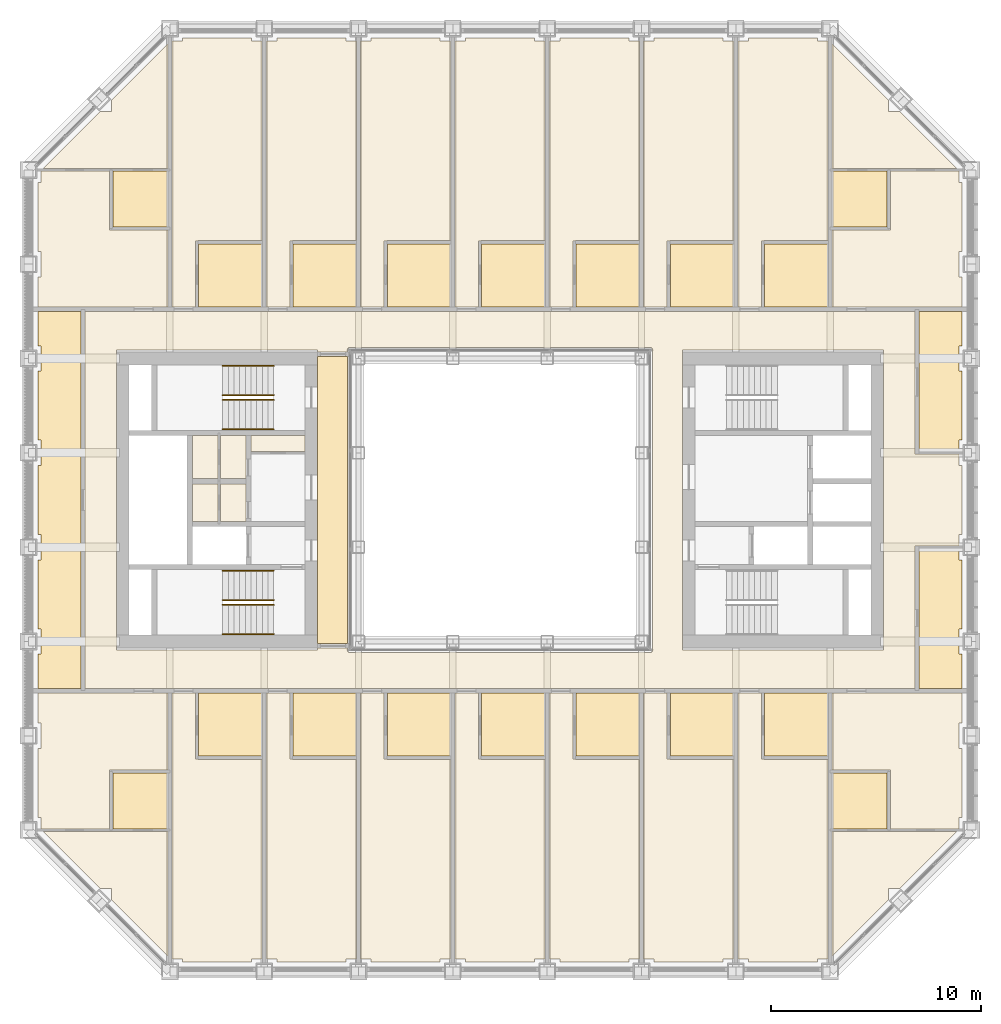
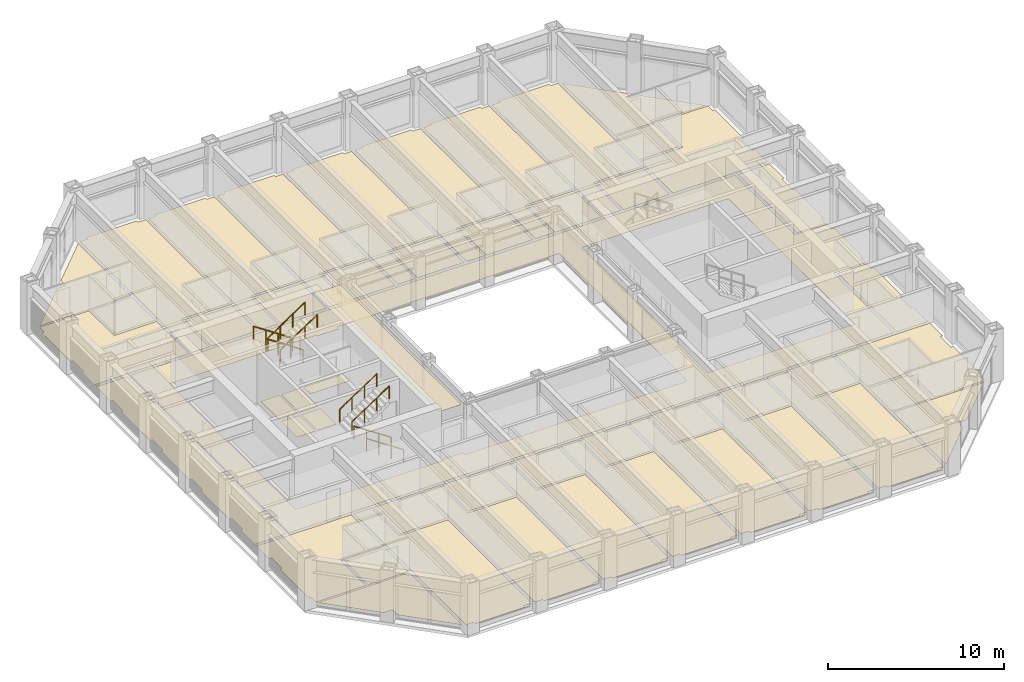
# One storey, part 16 of 18: 8 railings, 4 coverings.
"""IFC4 building model written with IfcOpenShell, lengths in metres."""

from ifc_helpers import new_model, si_unit, direction, frame, origin, origin_2d, place, context, subcontext, project, spatial, line, indexed_curve, circle, outline, extrude, material, layer, layer_set, type_object, element, save


model = new_model("IFC4")

# Units and contexts
model_context = context("Model", 3, precision=1e-05, world=origin(), true_north=direction((0.0, 1.0)))
body_context = subcontext(model_context, "Body", "Model", "MODEL_VIEW")
ifc_project = project(units=[si_unit("LENGTHUNIT", "METRE"), si_unit("AREAUNIT", "SQUARE_METRE"), si_unit("VOLUMEUNIT", "CUBIC_METRE"), si_unit("PLANEANGLEUNIT", "RADIAN"), si_unit("MASSUNIT", "GRAM", prefix="KILO")], contexts=[model_context])

# Site, building, storey
site_placement = place(None, origin())
site = spatial("IfcSite", under=ifc_project, at=site_placement, CompositionType="ELEMENT")
building_placement = place(site_placement, origin())
building = spatial("IfcBuilding", under=site, at=building_placement, Name="Msasa Ring Tower", CompositionType="ELEMENT")
storey_placement = place(building_placement, frame((0.0, 0.0, 118.39990234375)))
storey = spatial("IfcBuildingStorey", under=building, at=storey_placement, Name="L30", CompositionType="ELEMENT", Elevation=118.39990234375)

# Coverings
ifc_material_1 = material(Name="Gypsum plasterboard on a steel suspension grid", Category="steel")
ifc_layer_1 = layer(ifc_material_1, 0.014892578125)
ifc_layer_set_1 = layer_set([ifc_layer_1], Name="C1 SUSPENDED PLASTERBOARD CEILING 15")
covering_type_1 = type_object("IfcCoveringType", Name="C1 SUSPENDED PLASTERBOARD CEILING 15", PredefinedType="CEILING", material=ifc_layer_set_1)
covering_1_placement = place(storey_placement, frame((0.0, 0.0, 3.2001953125)))
element("IfcCovering", 1, at=covering_1_placement, inside=storey, type_object=covering_type_1, Name="Suspended Plasterboard Ceiling 15 public rooms L30", PredefinedType="CEILING", context=body_context, shape_type="SweptSolid", body=[
    extrude(outline(indexed_curve([(-8.699462890625, 6.849609375), (-7.280029296875, 6.849609375), (-7.280029296875, -6.849609375), (-8.699462890625, -6.849609375)], segments=[line(1, 2, 3, 4, 1)], self_intersect=False)), origin(), (0.0, 0.0, 1.0), 0.014892578125),
])
ifc_material_2 = material(Name="Wool-blend carpet on felt underlay", Category="textile")
ifc_layer_2 = layer(ifc_material_2, 0.011962890625)
ifc_layer_set_2 = layer_set([ifc_layer_2], Name="F2 CARPET ON UNDERLAY 12")
covering_type_2 = type_object("IfcCoveringType", Name="F2 CARPET ON UNDERLAY 12", PredefinedType="FLOORING", material=ifc_layer_set_2)
covering_2_placement = place(storey_placement, origin())
element("IfcCovering", 2, at=covering_2_placement, inside=storey, type_object=covering_type_2, Name="Carpet On Underlay 12 L30", PredefinedType="FLOORING", context=body_context, shape_type="SweptSolid", body=[
    extrude(outline(indexed_curve([(-15.8505859375, -9.200439453125), (-15.8505859375, -12.869384765625), (-18.630615234375, -12.869384765625), (-18.630615234375, -15.694580078125), (-21.8994140625, -15.694580078125), (-21.8994140625, -15.1494140625), (-22.049560546875, -15.1494140625), (-22.049560546875, -11.8505859375), (-21.8994140625, -11.8505859375), (-21.8994140625, -10.6494140625), (-22.049560546875, -10.6494140625), (-22.049560546875, -9.200439453125)], segments=[line(1, 2, 3, 4, 5, 6, 7, 8, 9, 10, 11, 12, 1)], self_intersect=False)), origin(), (0.0, 0.0, 1.0), 0.01220703125),
    extrude(outline(indexed_curve([(-22.049560546875, 9.200439453125), (-22.049560546875, 10.6494140625), (-21.8994140625, 10.6494140625), (-21.8994140625, 11.8505859375), (-22.049560546875, 11.8505859375), (-22.049560546875, 15.1494140625), (-21.8994140625, 15.1494140625), (-21.8994140625, 15.694580078125), (-18.630615234375, 15.694580078125), (-18.630615234375, 12.869384765625), (-15.8505859375, 12.869384765625), (-15.8505859375, 9.200439453125)], segments=[line(1, 2, 3, 4, 5, 6, 7, 8, 9, 10, 11, 12, 1)], self_intersect=False)), origin(), (0.0, 0.0, 1.0), 0.01220703125),
    extrude(outline(indexed_curve([(-15.8505859375, -15.805419921875), (-15.8505859375, -21.762451171875), (-18.5244140625, -19.08837890625), (-18.5244140625, -18.5244140625), (-19.08837890625, -18.5244140625), (-21.807373046875, -15.805419921875)], segments=[line(1, 2, 3, 4, 5, 6, 1)], self_intersect=False)), origin(), (0.0, 0.0, 1.0), 0.01220703125),
    extrude(outline(indexed_curve([(-21.807373046875, 15.805419921875), (-19.08837890625, 18.5244140625), (-18.5244140625, 18.5244140625), (-18.5244140625, 19.08837890625), (-15.8505859375, 21.762451171875), (-15.8505859375, 15.805419921875)], segments=[line(1, 2, 3, 4, 5, 6, 1)], self_intersect=False)), origin(), (0.0, 0.0, 1.0), 0.01220703125),
    extrude(outline(indexed_curve([(22.049560546875, -1.6494140625), (21.8994140625, -1.6494140625), (21.8994140625, -2.199462890625), (19.799560546875, -2.199462890625), (19.799560546875, -8.99951171875), (-19.799560546875, -8.99951171875), (-19.799560546875, 8.99951171875), (19.799560546875, 8.99951171875), (19.799560546875, 2.199462890625), (21.8994140625, 2.199462890625), (21.8994140625, 1.6494140625), (22.049560546875, 1.6494140625)], segments=[line(1, 2, 3, 4, 5, 6, 7, 8, 9, 10, 11, 12, 1)], self_intersect=False), holes=[indexed_curve([(18.300537109375, -7.150390625), (18.300537109375, 7.150390625), (8.699462890625, 7.150390625), (8.699462890625, -7.150390625)], segments=[line(1, 2, 3, 4, 1)], self_intersect=False), indexed_curve([(-18.300537109375, 7.150390625), (-18.300537109375, -7.150390625), (-8.699462890625, -7.150390625), (-8.699462890625, -7.050537109375), (-7.280029296875, -7.050537109375), (-7.280517578125, -7.23046875), (-7.22998046875, -7.23046875), (-7.22998046875, -7.280029296875), (7.22998046875, -7.280029296875), (7.22998046875, -7.23046875), (7.280517578125, -7.23046875), (7.280517578125, 7.23046875), (7.22998046875, 7.23046875), (7.22998046875, 7.280029296875), (-7.22998046875, 7.280029296875), (-7.22998046875, 7.23046875), (-7.280517578125, 7.23046875), (-7.280029296875, 7.050537109375), (-8.699462890625, 7.050537109375), (-8.699462890625, 7.150390625)], segments=[line(1, 2, 3, 4, 5, 6, 7, 8, 9, 10, 11, 12, 13, 14, 15, 16, 17, 18, 19, 20, 1)], self_intersect=False)]), origin(), (0.0, 0.0, 1.0), 0.01220703125),
    extrude(outline(indexed_curve([(-15.6494140625, -9.200439453125), (-14.525390625, -9.200439453125), (-14.525390625, -12.35009765625), (-14.39990234375, -12.3505859375), (-14.39990234375, -12.37548828125), (-11.3505859375, -12.37548828125), (-11.3505859375, -21.8994140625), (-11.8505859375, -21.8994140625), (-11.8505859375, -22.049560546875), (-15.1494140625, -22.049560546875), (-15.1494140625, -21.8994140625), (-15.6494140625, -21.8994140625)], segments=[line(1, 2, 3, 4, 5, 6, 7, 8, 9, 10, 11, 12, 1)], self_intersect=False)), origin(), (0.0, 0.0, 1.0), 0.01220703125),
    extrude(outline(indexed_curve([(-15.6494140625, 21.8994140625), (-15.1494140625, 21.8994140625), (-15.1494140625, 22.049560546875), (-11.8505859375, 22.049560546875), (-11.8505859375, 21.8994140625), (-11.3505859375, 21.8994140625), (-11.3505859375, 12.37548828125), (-14.39990234375, 12.37548828125), (-14.39990234375, 12.3505859375), (-14.525390625, 12.35009765625), (-14.525390625, 9.200439453125), (-15.6494140625, 9.200439453125)], segments=[line(1, 2, 3, 4, 5, 6, 7, 8, 9, 10, 11, 12, 1)], self_intersect=False)), origin(), (0.0, 0.0, 1.0), 0.01220703125),
    extrude(outline(indexed_curve([(-13.45556640625, -1.0244140625), (-14.674560546875, -1.0244140625), (-14.674560546875, 0.7744140625), (-13.45556640625, 0.7744140625)], segments=[line(1, 2, 3, 4, 1)], self_intersect=False)), origin(), (0.0, 0.0, 1.0), 0.01220703125),
    extrude(outline(indexed_curve([(-13.45556640625, 3.074462890625), (-13.45556640625, 1.025390625), (-14.674560546875, 1.025390625), (-14.674560546875, 3.074462890625)], segments=[line(1, 2, 3, 4, 1)], self_intersect=False)), origin(), (0.0, 0.0, 1.0), 0.01220703125),
    extrude(outline(indexed_curve([(-12.12548828125, -1.0244140625), (-13.344482421875, -1.0244140625), (-13.344482421875, 0.7744140625), (-12.12548828125, 0.7744140625)], segments=[line(1, 2, 3, 4, 1)], self_intersect=False)), origin(), (0.0, 0.0, 1.0), 0.01220703125),
    extrude(outline(indexed_curve([(-12.12548828125, 1.025390625), (-13.344482421875, 1.025390625), (-13.344482421875, 3.074462890625), (-12.12548828125, 3.074462890625)], segments=[line(1, 2, 3, 4, 1)], self_intersect=False)), origin(), (0.0, 0.0, 1.0), 0.01220703125),
    extrude(outline(indexed_curve([(-9.300537109375, 2.305419921875), (-11.87451171875, 2.305419921875), (-11.87451171875, 3.074462890625), (-9.300537109375, 3.074462890625)], segments=[line(1, 2, 3, 4, 1)], self_intersect=False)), origin(), (0.0, 0.0, 1.0), 0.01220703125),
    extrude(outline(indexed_curve([(-10.025390625, -9.200439453125), (-10.025390625, -12.35009765625), (-9.89990234375, -12.3505859375), (-9.89990234375, -12.37548828125), (-6.8505859375, -12.37548828125), (-6.8505859375, -21.8994140625), (-7.3505859375, -21.8994140625), (-7.3505859375, -22.049560546875), (-10.6494140625, -22.049560546875), (-10.6494140625, -21.8994140625), (-11.1494140625, -21.8994140625), (-11.1494140625, -9.200439453125)], segments=[line(1, 2, 3, 4, 5, 6, 7, 8, 9, 10, 11, 12, 1)], self_intersect=False)), origin(), (0.0, 0.0, 1.0), 0.01220703125),
    extrude(outline(indexed_curve([(-7.3505859375, 22.049560546875), (-7.3505859375, 21.8994140625), (-6.8505859375, 21.8994140625), (-6.8505859375, 12.37548828125), (-9.89990234375, 12.37548828125), (-9.89990234375, 12.3505859375), (-10.025390625, 12.35009765625), (-10.025390625, 9.200439453125), (-11.1494140625, 9.200439453125), (-11.1494140625, 21.8994140625), (-10.6494140625, 21.8994140625), (-10.6494140625, 22.049560546875)], segments=[line(1, 2, 3, 4, 5, 6, 7, 8, 9, 10, 11, 12, 1)], self_intersect=False)), origin(), (0.0, 0.0, 1.0), 0.01220703125),
    extrude(outline(indexed_curve([(-5.525390625, -9.200439453125), (-5.525390625, -12.35009765625), (-5.39990234375, -12.3505859375), (-5.39990234375, -12.37548828125), (-2.3505859375, -12.37548828125), (-2.3505859375, -21.8994140625), (-2.8505859375, -21.8994140625), (-2.8505859375, -22.049560546875), (-6.1494140625, -22.049560546875), (-6.1494140625, -21.8994140625), (-6.6494140625, -21.8994140625), (-6.6494140625, -9.200439453125)], segments=[line(1, 2, 3, 4, 5, 6, 7, 8, 9, 10, 11, 12, 1)], self_intersect=False)), origin(), (0.0, 0.0, 1.0), 0.01220703125),
    extrude(outline(indexed_curve([(-2.8505859375, 22.049560546875), (-2.8505859375, 21.8994140625), (-2.3505859375, 21.8994140625), (-2.3505859375, 12.37548828125), (-5.39990234375, 12.37548828125), (-5.39990234375, 12.3505859375), (-5.525390625, 12.35009765625), (-5.525390625, 9.200439453125), (-6.6494140625, 9.200439453125), (-6.6494140625, 21.8994140625), (-6.1494140625, 21.8994140625), (-6.1494140625, 22.049560546875)], segments=[line(1, 2, 3, 4, 5, 6, 7, 8, 9, 10, 11, 12, 1)], self_intersect=False)), origin(), (0.0, 0.0, 1.0), 0.01220703125),
    extrude(outline(indexed_curve([(-1.025390625, -9.200439453125), (-1.025390625, -12.35009765625), (-0.89990234375, -12.3505859375), (-0.89990234375, -12.37548828125), (2.1494140625, -12.37548828125), (2.1494140625, -21.8994140625), (1.6494140625, -21.8994140625), (1.6494140625, -22.049560546875), (-1.6494140625, -22.049560546875), (-1.6494140625, -21.8994140625), (-2.1494140625, -21.8994140625), (-2.1494140625, -9.200439453125)], segments=[line(1, 2, 3, 4, 5, 6, 7, 8, 9, 10, 11, 12, 1)], self_intersect=False)), origin(), (0.0, 0.0, 1.0), 0.01220703125),
    extrude(outline(indexed_curve([(1.6494140625, 22.049560546875), (1.6494140625, 21.8994140625), (2.1494140625, 21.8994140625), (2.1494140625, 12.37548828125), (-0.89990234375, 12.37548828125), (-0.89990234375, 12.3505859375), (-1.025390625, 12.35009765625), (-1.025390625, 9.200439453125), (-2.1494140625, 9.200439453125), (-2.1494140625, 21.8994140625), (-1.6494140625, 21.8994140625), (-1.6494140625, 22.049560546875)], segments=[line(1, 2, 3, 4, 5, 6, 7, 8, 9, 10, 11, 12, 1)], self_intersect=False)), origin(), (0.0, 0.0, 1.0), 0.01220703125),
    extrude(outline(indexed_curve([(3.474609375, -9.200439453125), (3.474609375, -12.35009765625), (3.60009765625, -12.3505859375), (3.60009765625, -12.37548828125), (6.6494140625, -12.37548828125), (6.6494140625, -21.8994140625), (6.1494140625, -21.8994140625), (6.1494140625, -22.049560546875), (2.8505859375, -22.049560546875), (2.8505859375, -21.8994140625), (2.3505859375, -21.8994140625), (2.3505859375, -9.200439453125)], segments=[line(1, 2, 3, 4, 5, 6, 7, 8, 9, 10, 11, 12, 1)], self_intersect=False)), origin(), (0.0, 0.0, 1.0), 0.01220703125),
    extrude(outline(indexed_curve([(6.1494140625, 22.049560546875), (6.1494140625, 21.8994140625), (6.6494140625, 21.8994140625), (6.6494140625, 12.37548828125), (3.60009765625, 12.37548828125), (3.60009765625, 12.3505859375), (3.474609375, 12.35009765625), (3.474609375, 9.200439453125), (2.3505859375, 9.200439453125), (2.3505859375, 21.8994140625), (2.8505859375, 21.8994140625), (2.8505859375, 22.049560546875)], segments=[line(1, 2, 3, 4, 5, 6, 7, 8, 9, 10, 11, 12, 1)], self_intersect=False)), origin(), (0.0, 0.0, 1.0), 0.01220703125),
    extrude(outline(indexed_curve([(7.974609375, -9.200439453125), (7.974609375, -12.35009765625), (8.10009765625, -12.3505859375), (8.10009765625, -12.37548828125), (11.1494140625, -12.37548828125), (11.1494140625, -21.8994140625), (10.6494140625, -21.8994140625), (10.6494140625, -22.049560546875), (7.3505859375, -22.049560546875), (7.3505859375, -21.8994140625), (6.8505859375, -21.8994140625), (6.8505859375, -9.200439453125)], segments=[line(1, 2, 3, 4, 5, 6, 7, 8, 9, 10, 11, 12, 1)], self_intersect=False)), origin(), (0.0, 0.0, 1.0), 0.01220703125),
    extrude(outline(indexed_curve([(10.6494140625, 22.049560546875), (10.6494140625, 21.8994140625), (11.1494140625, 21.8994140625), (11.1494140625, 12.37548828125), (8.10009765625, 12.37548828125), (8.10009765625, 12.3505859375), (7.974609375, 12.35009765625), (7.974609375, 9.200439453125), (6.8505859375, 9.200439453125), (6.8505859375, 21.8994140625), (7.3505859375, 21.8994140625), (7.3505859375, 22.049560546875)], segments=[line(1, 2, 3, 4, 5, 6, 7, 8, 9, 10, 11, 12, 1)], self_intersect=False)), origin(), (0.0, 0.0, 1.0), 0.01220703125),
    extrude(outline(indexed_curve([(11.3505859375, -9.200439453125), (12.474609375, -9.200439453125), (12.474609375, -12.35009765625), (12.60009765625, -12.3505859375), (12.60009765625, -12.37548828125), (15.6494140625, -12.37548828125), (15.6494140625, -21.8994140625), (15.1494140625, -21.8994140625), (15.1494140625, -22.049560546875), (11.8505859375, -22.049560546875), (11.8505859375, -21.8994140625), (11.3505859375, -21.8994140625)], segments=[line(1, 2, 3, 4, 5, 6, 7, 8, 9, 10, 11, 12, 1)], self_intersect=False)), origin(), (0.0, 0.0, 1.0), 0.01220703125),
    extrude(outline(indexed_curve([(11.3505859375, 21.8994140625), (11.8505859375, 21.8994140625), (11.8505859375, 22.049560546875), (15.1494140625, 22.049560546875), (15.1494140625, 21.8994140625), (15.6494140625, 21.8994140625), (15.6494140625, 12.37548828125), (12.60009765625, 12.37548828125), (12.60009765625, 12.3505859375), (12.474609375, 12.35009765625), (12.474609375, 9.200439453125), (11.3505859375, 9.200439453125)], segments=[line(1, 2, 3, 4, 5, 6, 7, 8, 9, 10, 11, 12, 1)], self_intersect=False)), origin(), (0.0, 0.0, 1.0), 0.01220703125),
    extrude(outline(indexed_curve([(15.8505859375, -15.805419921875), (21.807373046875, -15.805419921875), (19.08837890625, -18.5244140625), (18.5244140625, -18.5244140625), (18.5244140625, -19.08837890625), (15.8505859375, -21.762451171875)], segments=[line(1, 2, 3, 4, 5, 6, 1)], self_intersect=False)), origin(), (0.0, 0.0, 1.0), 0.01220703125),
    extrude(outline(indexed_curve([(22.049560546875, -9.200439453125), (22.049560546875, -10.6494140625), (21.8994140625, -10.6494140625), (21.8994140625, -11.8505859375), (22.049560546875, -11.8505859375), (22.049560546875, -15.1494140625), (21.8994140625, -15.1494140625), (21.8994140625, -15.694580078125), (18.630615234375, -15.694580078125), (18.630615234375, -12.869384765625), (15.8505859375, -12.869384765625), (15.8505859375, -9.200439453125)], segments=[line(1, 2, 3, 4, 5, 6, 7, 8, 9, 10, 11, 12, 1)], self_intersect=False)), origin(), (0.0, 0.0, 1.0), 0.01220703125),
    extrude(outline(indexed_curve([(22.049560546875, 11.8505859375), (21.8994140625, 11.8505859375), (21.8994140625, 10.6494140625), (22.049560546875, 10.6494140625), (22.049560546875, 9.200439453125), (15.8505859375, 9.200439453125), (15.8505859375, 12.869384765625), (18.630615234375, 12.869384765625), (18.630615234375, 15.694580078125), (21.8994140625, 15.694580078125), (21.8994140625, 15.1494140625), (22.049560546875, 15.1494140625)], segments=[line(1, 2, 3, 4, 5, 6, 7, 8, 9, 10, 11, 12, 1)], self_intersect=False)), origin(), (0.0, 0.0, 1.0), 0.01220703125),
    extrude(outline(indexed_curve([(15.8505859375, 21.762451171875), (18.5244140625, 19.08837890625), (18.5244140625, 18.5244140625), (19.08837890625, 18.5244140625), (21.807373046875, 15.805419921875), (15.8505859375, 15.805419921875)], segments=[line(1, 2, 3, 4, 5, 6, 1)], self_intersect=False)), origin(), (0.0, 0.0, 1.0), 0.01220703125),
])
ifc_material_3 = material(Name="Porcelain floor tiles in adhesive", Category="ceramic")
ifc_layer_3 = layer(ifc_material_3, 0.010009765625)
ifc_layer_set_3 = layer_set([ifc_layer_3], Name="F4 PORCELAIN TILE ON ADHESIVE 10")
covering_type_3 = type_object("IfcCoveringType", Name="F4 PORCELAIN TILE ON ADHESIVE 10", PredefinedType="FLOORING", material=ifc_layer_set_3)
covering_3_placement = place(storey_placement, origin())
element("IfcCovering", 3, at=covering_3_placement, inside=storey, type_object=covering_type_3, Name="Porcelain Tile On Adhesive 10 L30", PredefinedType="FLOORING", context=body_context, shape_type="SweptSolid", body=[
    extrude(outline(indexed_curve([(-15.8505859375, -13.030517578125), (-15.8505859375, -15.694580078125), (-18.469482421875, -15.694580078125), (-18.469482421875, -13.030517578125)], segments=[line(1, 2, 3, 4, 1)], self_intersect=False)), origin(), (0.0, 0.0, 1.0), 0.010009765625),
    extrude(outline(indexed_curve([(-15.8505859375, 13.030517578125), (-18.469482421875, 13.030517578125), (-18.469482421875, 15.694580078125), (-15.8505859375, 15.694580078125)], segments=[line(1, 2, 3, 4, 1)], self_intersect=False)), origin(), (0.0, 0.0, 1.0), 0.010009765625),
    extrude(outline(indexed_curve([(-11.3505859375, -9.200439453125), (-11.3505859375, -12.224609375), (-14.37451171875, -12.224609375), (-14.37451171875, -9.200439453125)], segments=[line(1, 2, 3, 4, 1)], self_intersect=False)), origin(), (0.0, 0.0, 1.0), 0.010009765625),
    extrude(outline(indexed_curve([(-11.3505859375, 9.200439453125), (-14.37451171875, 9.200439453125), (-14.37451171875, 12.224609375), (-11.3505859375, 12.224609375)], segments=[line(1, 2, 3, 4, 1)], self_intersect=False)), origin(), (0.0, 0.0, 1.0), 0.010009765625),
    extrude(outline(indexed_curve([(-6.8505859375, -9.200439453125), (-6.8505859375, -12.224609375), (-9.87451171875, -12.224609375), (-9.87451171875, -9.200439453125)], segments=[line(1, 2, 3, 4, 1)], self_intersect=False)), origin(), (0.0, 0.0, 1.0), 0.010009765625),
    extrude(outline(indexed_curve([(-6.8505859375, 9.200439453125), (-9.87451171875, 9.200439453125), (-9.87451171875, 12.224609375), (-6.8505859375, 12.224609375)], segments=[line(1, 2, 3, 4, 1)], self_intersect=False)), origin(), (0.0, 0.0, 1.0), 0.010009765625),
    extrude(outline(indexed_curve([(-2.3505859375, -9.200439453125), (-2.3505859375, -12.224609375), (-5.37451171875, -12.224609375), (-5.37451171875, -9.200439453125)], segments=[line(1, 2, 3, 4, 1)], self_intersect=False)), origin(), (0.0, 0.0, 1.0), 0.010009765625),
    extrude(outline(indexed_curve([(-2.3505859375, 9.200439453125), (-5.37451171875, 9.200439453125), (-5.37451171875, 12.224609375), (-2.3505859375, 12.224609375)], segments=[line(1, 2, 3, 4, 1)], self_intersect=False)), origin(), (0.0, 0.0, 1.0), 0.010009765625),
    extrude(outline(indexed_curve([(2.1494140625, -9.200439453125), (2.1494140625, -12.224609375), (-0.87451171875, -12.224609375), (-0.87451171875, -9.200439453125)], segments=[line(1, 2, 3, 4, 1)], self_intersect=False)), origin(), (0.0, 0.0, 1.0), 0.010009765625),
    extrude(outline(indexed_curve([(2.1494140625, 9.200439453125), (-0.87451171875, 9.200439453125), (-0.87451171875, 12.224609375), (2.1494140625, 12.224609375)], segments=[line(1, 2, 3, 4, 1)], self_intersect=False)), origin(), (0.0, 0.0, 1.0), 0.010009765625),
    extrude(outline(indexed_curve([(6.6494140625, -9.200439453125), (6.6494140625, -12.224609375), (3.62548828125, -12.224609375), (3.62548828125, -9.200439453125)], segments=[line(1, 2, 3, 4, 1)], self_intersect=False)), origin(), (0.0, 0.0, 1.0), 0.010009765625),
    extrude(outline(indexed_curve([(6.6494140625, 9.200439453125), (3.62548828125, 9.200439453125), (3.62548828125, 12.224609375), (6.6494140625, 12.224609375)], segments=[line(1, 2, 3, 4, 1)], self_intersect=False)), origin(), (0.0, 0.0, 1.0), 0.010009765625),
    extrude(outline(indexed_curve([(11.1494140625, -9.200439453125), (11.1494140625, -12.224609375), (8.12548828125, -12.224609375), (8.12548828125, -9.200439453125)], segments=[line(1, 2, 3, 4, 1)], self_intersect=False)), origin(), (0.0, 0.0, 1.0), 0.010009765625),
    extrude(outline(indexed_curve([(11.1494140625, 9.200439453125), (8.12548828125, 9.200439453125), (8.12548828125, 12.224609375), (11.1494140625, 12.224609375)], segments=[line(1, 2, 3, 4, 1)], self_intersect=False)), origin(), (0.0, 0.0, 1.0), 0.010009765625),
    extrude(outline(indexed_curve([(15.6494140625, -9.200439453125), (15.6494140625, -12.224609375), (12.62548828125, -12.224609375), (12.62548828125, -9.200439453125)], segments=[line(1, 2, 3, 4, 1)], self_intersect=False)), origin(), (0.0, 0.0, 1.0), 0.010009765625),
    extrude(outline(indexed_curve([(15.6494140625, 9.200439453125), (12.62548828125, 9.200439453125), (12.62548828125, 12.224609375), (15.6494140625, 12.224609375)], segments=[line(1, 2, 3, 4, 1)], self_intersect=False)), origin(), (0.0, 0.0, 1.0), 0.010009765625),
    extrude(outline(indexed_curve([(18.469482421875, -13.030517578125), (18.469482421875, -15.694580078125), (15.8505859375, -15.694580078125), (15.8505859375, -13.030517578125)], segments=[line(1, 2, 3, 4, 1)], self_intersect=False)), origin(), (0.0, 0.0, 1.0), 0.010009765625),
    extrude(outline(indexed_curve([(18.469482421875, 13.030517578125), (15.8505859375, 13.030517578125), (15.8505859375, 15.694580078125), (18.469482421875, 15.694580078125)], segments=[line(1, 2, 3, 4, 1)], self_intersect=False)), origin(), (0.0, 0.0, 1.0), 0.010009765625),
])
ifc_material_4 = material(Name="Welded vinyl safety sheet flooring", Category="vinyl")
ifc_layer_4 = layer(ifc_material_4, 0.0029296875)
ifc_layer_set_4 = layer_set([ifc_layer_4], Name="F5 RESILIENT SHEET FLOORING 3")
covering_type_4 = type_object("IfcCoveringType", Name="F5 RESILIENT SHEET FLOORING 3", PredefinedType="FLOORING", material=ifc_layer_set_4)
covering_4_placement = place(storey_placement, origin())
element("IfcCovering", 4, at=covering_4_placement, inside=storey, type_object=covering_type_4, Name="Resilient Sheet Flooring 3 L30", PredefinedType="FLOORING", context=body_context, shape_type="SweptSolid", body=[
    extrude(outline(indexed_curve([(-20.00048828125, 8.99951171875), (-20.00048828125, -8.99951171875), (-22.049560546875, -8.99951171875), (-22.049560546875, -7.3505859375), (-21.8994140625, -7.3505859375), (-21.8994140625, -6.1494140625), (-22.049560546875, -6.1494140625), (-22.049560546875, -2.8505859375), (-21.8994140625, -2.8505859375), (-21.8994140625, -1.6494140625), (-22.049560546875, -1.6494140625), (-22.049560546875, 1.6494140625), (-21.8994140625, 1.6494140625), (-21.8994140625, 2.8505859375), (-22.049560546875, 2.8505859375), (-22.049560546875, 6.1494140625), (-21.8994140625, 6.1494140625), (-21.8994140625, 7.3505859375), (-22.049560546875, 7.3505859375), (-22.049560546875, 8.99951171875)], segments=[line(1, 2, 3, 4, 5, 6, 7, 8, 9, 10, 11, 12, 13, 14, 15, 16, 17, 18, 19, 20, 1)], self_intersect=False)), origin(), (0.0, 0.0, 1.0), 0.003173828125),
    extrude(outline(indexed_curve([(21.8994140625, -2.305419921875), (21.8994140625, -2.8505859375), (22.049560546875, -2.8505859375), (22.049560546875, -6.1494140625), (21.8994140625, -6.1494140625), (21.8994140625, -7.3505859375), (22.049560546875, -7.3505859375), (22.049560546875, -8.99951171875), (20.00048828125, -8.99951171875), (20.00048828125, -2.305419921875)], segments=[line(1, 2, 3, 4, 5, 6, 7, 8, 9, 10, 1)], self_intersect=False)), origin(), (0.0, 0.0, 1.0), 0.003173828125),
    extrude(outline(indexed_curve([(22.049560546875, 7.3505859375), (21.8994140625, 7.3505859375), (21.8994140625, 6.1494140625), (22.049560546875, 6.1494140625), (22.049560546875, 2.8505859375), (21.8994140625, 2.8505859375), (21.8994140625, 2.305419921875), (20.00048828125, 2.305419921875), (20.00048828125, 8.99951171875), (22.049560546875, 8.99951171875)], segments=[line(1, 2, 3, 4, 5, 6, 7, 8, 9, 10, 1)], self_intersect=False)), origin(), (0.0, 0.0, 1.0), 0.003173828125),
])

# Railings
ifc_material_5 = material(Name="Stainless steel", Category="steel")
railing_type = type_object("IfcRailingType", Name="HR1 HANDRAIL 900", PredefinedType="HANDRAIL", material=ifc_material_5)
for number, where, name in (
    (5, (-10.800048828125, -6.39990234375, 0.18017578125), "Handrail stair SWA L30 1"),
    (6, (-10.800048828125, -5.0, 0.18017578125), "Handrail stair SWA L30 2"),
):
    element("IfcRailing", number, at=place(storey_placement, frame(where)), inside=storey, type_object=railing_type, Name=name, PredefinedType="HANDRAIL", context=body_context, shape_type="SweptSolid", body=[
        extrude(circle(Radius=0.02392578125, at=origin_2d()), frame((0.0, 0.0, 0.8759765625), z_axis=(-0.832063155534, 0.0, 0.554680903946), x_axis=(0.0, -1.0, 0.0)), (0.0, 0.0, 1.0), 2.92041015625),
        extrude(circle(Radius=0.02099609375, at=origin_2d()), origin(), (0.0, 0.0, 1.0), 0.851806640625),
        extrude(circle(Radius=0.02099609375, at=origin_2d()), frame((-0.81005859375, 0.0, 0.5400390625)), (0.0, 0.0, 1.0), 0.851806640625),
        extrude(circle(Radius=0.02099609375, at=origin_2d()), frame((-1.619873046875, 0.0, 1.079833984375)), (0.0, 0.0, 1.0), 0.851806640625),
        extrude(circle(Radius=0.02099609375, at=origin_2d()), frame((-2.429931640625, 0.0, 1.619873046875)), (0.0, 0.0, 1.0), 0.851806640625),
    ])
for number, where, name in (
    (7, (-13.22998046875, -4.77490234375, 1.97998046875), "Handrail stair SWA L30 3"),
    (8, (-13.22998046875, -3.375, 1.97998046875), "Handrail stair SWA L30 4"),
):
    element("IfcRailing", number, at=place(storey_placement, frame(where)), inside=storey, type_object=railing_type, Name=name, PredefinedType="HANDRAIL", context=body_context, shape_type="SweptSolid", body=[
        extrude(circle(Radius=0.02392578125, at=origin_2d()), frame((0.0, 0.0, 0.8759765625), z_axis=(0.832024571796, 0.0, 0.554738778101), x_axis=(0.0, 1.0, 0.0)), (0.0, 0.0, 1.0), 2.92041015625),
        extrude(circle(Radius=0.02099609375, at=origin_2d()), origin(), (0.0, 0.0, 1.0), 0.851806640625),
        extrude(circle(Radius=0.02099609375, at=origin_2d()), frame((0.81005859375, 0.0, 0.5400390625)), (0.0, 0.0, 1.0), 0.851806640625),
        extrude(circle(Radius=0.02099609375, at=origin_2d()), frame((1.619873046875, 0.0, 1.080078125)), (0.0, 0.0, 1.0), 0.851806640625),
        extrude(circle(Radius=0.02099609375, at=origin_2d()), frame((2.429931640625, 0.0, 1.6201171875)), (0.0, 0.0, 1.0), 0.851806640625),
    ])
for number, where, name in (
    (9, (-10.800048828125, 5.0, 0.18017578125), "Handrail stair SWB L30 1"),
    (10, (-10.800048828125, 6.39990234375, 0.18017578125), "Handrail stair SWB L30 2"),
):
    element("IfcRailing", number, at=place(storey_placement, frame(where)), inside=storey, type_object=railing_type, Name=name, PredefinedType="HANDRAIL", context=body_context, shape_type="SweptSolid", body=[
        extrude(circle(Radius=0.02392578125, at=origin_2d()), frame((0.0, 0.0, 0.8759765625), z_axis=(-0.832063155534, 0.0, 0.554680903946), x_axis=(0.0, -1.0, 0.0)), (0.0, 0.0, 1.0), 2.92041015625),
        extrude(circle(Radius=0.02099609375, at=origin_2d()), origin(), (0.0, 0.0, 1.0), 0.851806640625),
        extrude(circle(Radius=0.02099609375, at=origin_2d()), frame((-0.81005859375, 0.0, 0.5400390625)), (0.0, 0.0, 1.0), 0.851806640625),
        extrude(circle(Radius=0.02099609375, at=origin_2d()), frame((-1.619873046875, 0.0, 1.079833984375)), (0.0, 0.0, 1.0), 0.851806640625),
        extrude(circle(Radius=0.02099609375, at=origin_2d()), frame((-2.429931640625, 0.0, 1.619873046875)), (0.0, 0.0, 1.0), 0.851806640625),
    ])
for number, where, name in (
    (11, (-13.22998046875, 3.375, 1.97998046875), "Handrail stair SWB L30 3"),
    (12, (-13.22998046875, 4.77490234375, 1.97998046875), "Handrail stair SWB L30 4"),
):
    element("IfcRailing", number, at=place(storey_placement, frame(where)), inside=storey, type_object=railing_type, Name=name, PredefinedType="HANDRAIL", context=body_context, shape_type="SweptSolid", body=[
        extrude(circle(Radius=0.02392578125, at=origin_2d()), frame((0.0, 0.0, 0.8759765625), z_axis=(0.832024571796, 0.0, 0.554738778101), x_axis=(0.0, 1.0, 0.0)), (0.0, 0.0, 1.0), 2.92041015625),
        extrude(circle(Radius=0.02099609375, at=origin_2d()), origin(), (0.0, 0.0, 1.0), 0.851806640625),
        extrude(circle(Radius=0.02099609375, at=origin_2d()), frame((0.81005859375, 0.0, 0.5400390625)), (0.0, 0.0, 1.0), 0.851806640625),
        extrude(circle(Radius=0.02099609375, at=origin_2d()), frame((1.619873046875, 0.0, 1.080078125)), (0.0, 0.0, 1.0), 0.851806640625),
        extrude(circle(Radius=0.02099609375, at=origin_2d()), frame((2.429931640625, 0.0, 1.6201171875)), (0.0, 0.0, 1.0), 0.851806640625),
    ])

save(model, "model.ifc")
